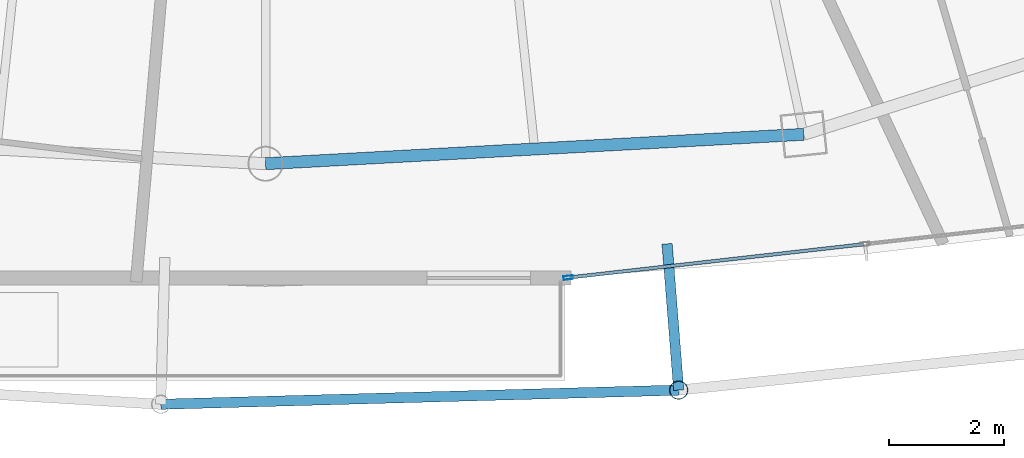
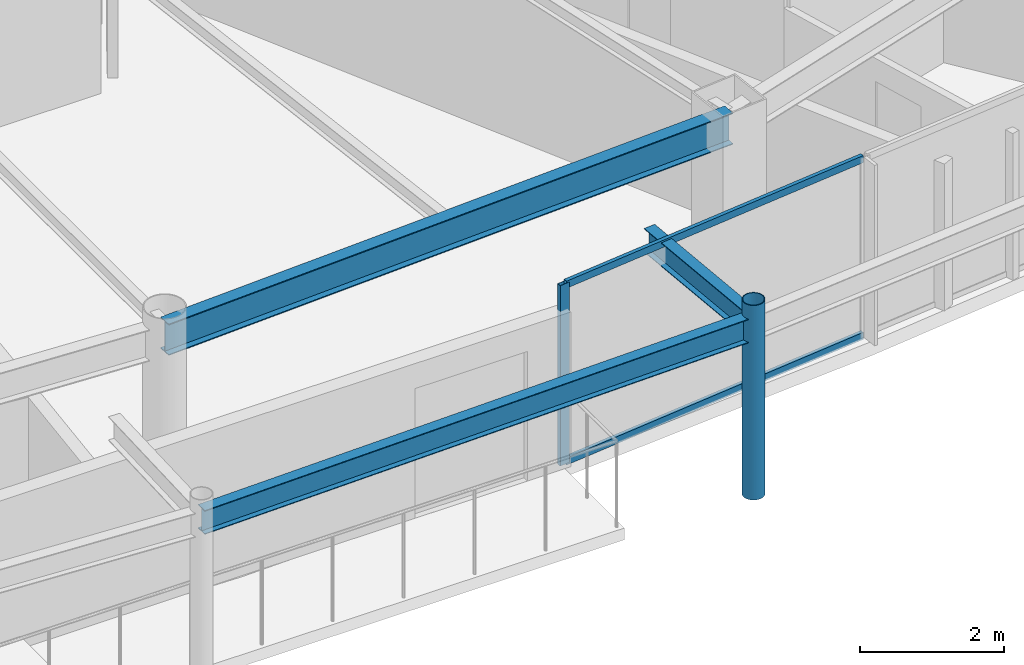
# One storey, part 8 of 32: 4 members, 3 beams, 1 element without a shape of its own.
"""IFC4 building model written with IfcOpenShell, lengths in metres."""

from ifc_helpers import new_model, si_unit, direction, frame, origin, origin_2d, place, context, subcontext, project, spatial, hollow_rectangle, hollow_circle, i_section, extrude, material, layer, layer_set, material_profile, profile_set, type_object, element, aggregate, save


model = new_model("IFC4")

# Units and contexts
model_context = context("Model", 3, precision=1e-05, world=origin(), true_north=direction((0.0, 1.0)))
body_context = subcontext(model_context, "Body", "Model", "MODEL_VIEW")
ifc_project = project(units=[si_unit("LENGTHUNIT", "METRE"), si_unit("AREAUNIT", "SQUARE_METRE"), si_unit("VOLUMEUNIT", "CUBIC_METRE"), si_unit("PLANEANGLEUNIT", "RADIAN"), si_unit("MASSUNIT", "GRAM", prefix="KILO")], contexts=[model_context])

# Site, building, storey
site_placement = place(None, origin())
site = spatial("IfcSite", under=ifc_project, at=site_placement, CompositionType="ELEMENT")
building_placement = place(site_placement, origin())
building = spatial("IfcBuilding", under=site, at=building_placement, Name="Orvanel Arch Residences", CompositionType="ELEMENT")
storey_placement = place(building_placement, frame((0.0, 0.0, 219.5)))
storey = spatial("IfcBuildingStorey", under=building, at=storey_placement, Name="L62", CompositionType="ELEMENT", Elevation=219.5)

# Curtain wall, member
ifc_material_1 = material(Name="Bronze-anodised aluminium AA6063-T6", Category="aluminium")
ifc_layer = layer(ifc_material_1, 0.175048828125)
ifc_layer_set = layer_set([ifc_layer], Name="Bronze-anodised aluminium AA6063-T6")
curtain_wall_type = type_object("IfcCurtainWallType", Name="CW4-HI-SYS", PredefinedType="NOTDEFINED", material=ifc_layer_set)
curtain_wall_placement = place(storey_placement, origin())
curtain_wall = element("IfcCurtainWall", 1, at=curtain_wall_placement, inside=storey, type_object=curtain_wall_type, Name="L62 CW4-HI-SYS Unitised Curtain Wall", PredefinedType="NOTDEFINED")
ifc_material_profile_1 = material_profile(ifc_material_1, hollow_rectangle(XDim=0.06494140625, YDim=0.159912109375, WallThickness=0.00390625, at=origin_2d()), Name="ALU160x65x4")
ifc_profile_set_1 = profile_set([ifc_material_profile_1], Name="Bronze-anodised aluminium AA6063-T6")
member_type_1 = type_object("IfcMemberType", Name="MUL-160x65", PredefinedType="MULLION", material=ifc_profile_set_1)
member_1_placement = place(storey_placement, frame((38.25830078125, 4.86474609375, 0.0), z_axis=(0.0, 0.0, 1.0), x_axis=(-0.112279844711, 0.993676625705, 0.0)))
member_1 = element("IfcMember", 2, at=member_1_placement, type_object=member_type_1, Name="CW-S4 mullion 1", PredefinedType="MULLION", context=body_context, shape_type="SweptSolid", body=[
    extrude(hollow_rectangle(XDim=0.06494140625, YDim=0.159912109375, WallThickness=0.00390625, at=origin_2d()), origin(), (0.0, 0.0, 1.0), 3.06005859375),
])

# Beams
ifc_material_2 = material(Name="Structural steel AS/NZS 3679.1 Grade 300 (300 MPa)", Category="steel")
ifc_material_profile_2 = material_profile(ifc_material_2, i_section(OverallWidth=0.177978515625, OverallDepth=0.406005859375, WebThickness=0.0078125, FlangeThickness=0.0126953125, at=origin_2d()), Name="410UB59.7")
ifc_profile_set_2 = profile_set([ifc_material_profile_2], Name="Structural steel AS/NZS 3679.1 Grade 300 (300 MPa)")
beam_type_1 = type_object("IfcBeamType", Name="OB-410UB-EXT", PredefinedType="SPANDREL", material=ifc_profile_set_2)
beam_1_placement = place(storey_placement, frame((31.177978515625, 2.6640625, 2.85693359375), z_axis=(0.999627190585, 0.027303476753, 0.0), x_axis=(-0.027303476753, 0.999627190585, 0.0)))
element("IfcBeam", 3, at=beam_1_placement, inside=storey, type_object=beam_type_1, Name="L62 Outer Perimeter Floor Ring Beam 06", PredefinedType="SPANDREL", context=body_context, shape_type="SweptSolid", body=[
    extrude(i_section(OverallWidth=0.177978515625, OverallDepth=0.406005859375, WebThickness=0.0078125, FlangeThickness=0.0126953125, at=origin_2d()), origin(), (0.0, 0.0, 1.0), 9.00439453125),
])
beam_2_placement = place(storey_placement, frame((39.97705078125, 5.451904296875, 2.85693359375), z_axis=(0.079178218795, -0.99686047653, 0.0), x_axis=(0.99686047653, 0.079178218795, 0.0)))
element("IfcBeam", 4, at=beam_2_placement, inside=storey, type_object=beam_type_1, Name="L62 Outer Frame Radial Tie Beam 07", PredefinedType="SPANDREL", context=body_context, shape_type="SweptSolid", body=[
    extrude(i_section(OverallWidth=0.177978515625, OverallDepth=0.406005859375, WebThickness=0.0078125, FlangeThickness=0.0126953125, at=origin_2d()), origin(), (0.0, 0.0, 1.0), 2.550048828125),
])
ifc_material_profile_3 = material_profile(ifc_material_2, i_section(OverallWidth=0.208984375, OverallDepth=0.532958984375, WebThickness=0.01025390625, FlangeThickness=0.015625, at=origin_2d()), Name="530UB92.4")
ifc_profile_set_3 = profile_set([ifc_material_profile_3], Name="Structural steel AS/NZS 3679.1 Grade 300 (300 MPa)")
beam_type_2 = type_object("IfcBeamType", Name="SP-530UB", PredefinedType="SPANDREL", material=ifc_profile_set_3)
beam_3_placement = place(storey_placement, frame((33.0, 6.843994140625, 2.79296875), z_axis=(0.998510315598, 0.054563262768, 0.0), x_axis=(-0.054563262768, 0.998510315598, 0.0)))
element("IfcBeam", 5, at=beam_3_placement, inside=storey, type_object=beam_type_2, Name="L62 Perimeter Spandrel Beam 04", PredefinedType="SPANDREL", context=body_context, shape_type="SweptSolid", body=[
    extrude(i_section(OverallWidth=0.208984375, OverallDepth=0.532958984375, WebThickness=0.01025390625, FlangeThickness=0.015625, at=origin_2d()), origin(), (0.0, 0.0, 1.0), 9.364990234375),
])

# Member
ifc_material_3 = material(Name="Structural steel AS/NZS 1163 C350L0 (Grade 350)", Category="steel")
ifc_material_profile_4 = material_profile(ifc_material_3, hollow_circle(Radius=0.162109375, WallThickness=0.0126953125, at=origin_2d()), Name="CHS324x12.7")
ifc_profile_set_4 = profile_set([ifc_material_profile_4], Name="Structural steel AS/NZS 1163 C350L0 (Grade 350)")
member_type_2 = type_object("IfcMemberType", Name="ST-324CHS-EXT", PredefinedType="STRUT", material=ifc_profile_set_4)
member_2_placement = place(storey_placement, frame((40.178955078125, 2.909912109375, 0.0), z_axis=(0.0, 0.0, 1.0), x_axis=(1.0, 0.0, 0.0)))
element("IfcMember", 6, at=member_2_placement, inside=storey, type_object=member_type_2, Name="L62 Outer Perimeter Frame Post 07", PredefinedType="STRUT", context=body_context, shape_type="SweptSolid", body=[
    extrude(hollow_circle(Radius=0.162109375, WallThickness=0.0126953125, at=origin_2d()), origin(), (0.0, 0.0, 1.0), 3.300048828125),
])

ifc_material_profile_5 = material_profile(ifc_material_1, hollow_rectangle(XDim=0.06005859375, YDim=0.1201171875, WallThickness=0.00341796875, at=origin_2d()), Name="ALU120x60x3.5")
ifc_profile_set_5 = profile_set([ifc_material_profile_5], Name="Bronze-anodised aluminium AA6063-T6")
member_type_3 = type_object("IfcMemberType", Name="TRN-120x60", PredefinedType="USERDEFINED", material=ifc_profile_set_5)
member_3_placement = place(storey_placement, frame((38.29052734375, 4.868408203125, 0.030029296875), z_axis=(0.993677646076, 0.112270814061, 0.0), x_axis=(-0.112270814061, 0.993677646076, 0.0)))
member_3 = element("IfcMember", 7, at=member_3_placement, type_object=member_type_3, Name="CW-S4 transom 1.1", ObjectType="TRANSOM", PredefinedType="USERDEFINED", context=body_context, shape_type="SweptSolid", body=[
    extrude(hollow_rectangle(XDim=0.06005859375, YDim=0.1201171875, WallThickness=0.00341796875, at=origin_2d()), origin(), (0.0, 0.0, 1.0), 5.127685546875),
])

member_4_placement = place(storey_placement, frame((38.29052734375, 4.868408203125, 3.030029296875), z_axis=(0.993677646076, 0.112270814061, 0.0), x_axis=(-0.112270814061, 0.993677646076, 0.0)))
member_4 = element("IfcMember", 8, at=member_4_placement, type_object=member_type_3, Name="CW-S4 transom 1.2", ObjectType="TRANSOM", PredefinedType="USERDEFINED", context=body_context, shape_type="SweptSolid", body=[
    extrude(hollow_rectangle(XDim=0.06005859375, YDim=0.1201171875, WallThickness=0.00341796875, at=origin_2d()), origin(), (0.0, 0.0, 1.0), 5.127685546875),
])

aggregate(curtain_wall, [member_1, member_3, member_4])

save(model, "model.ifc")
